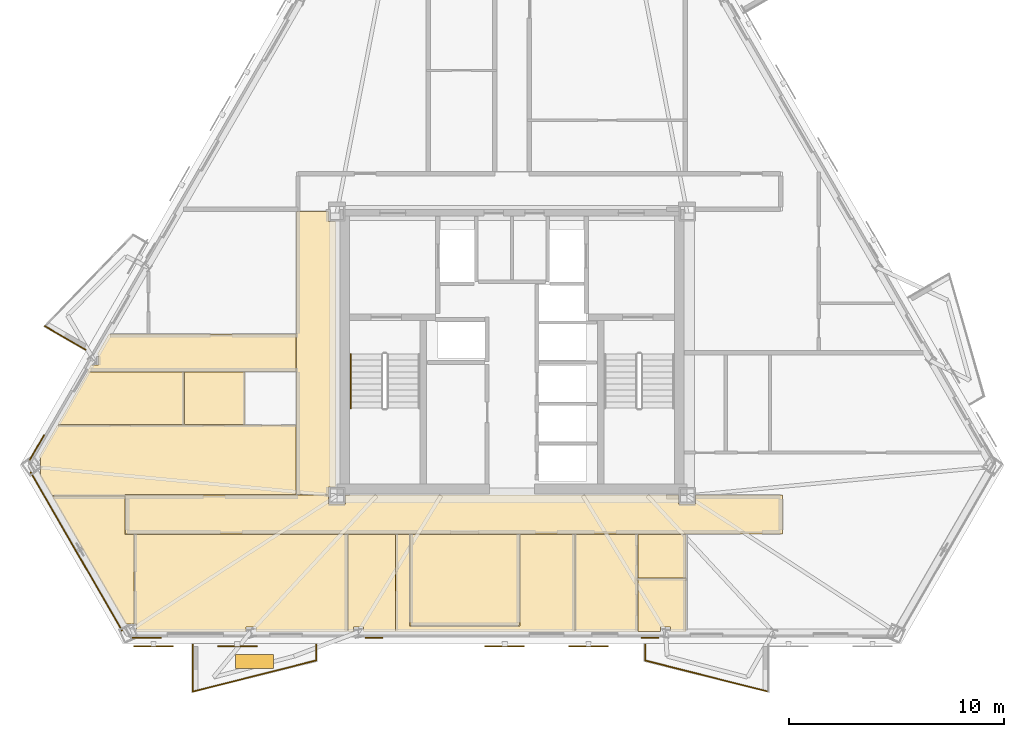
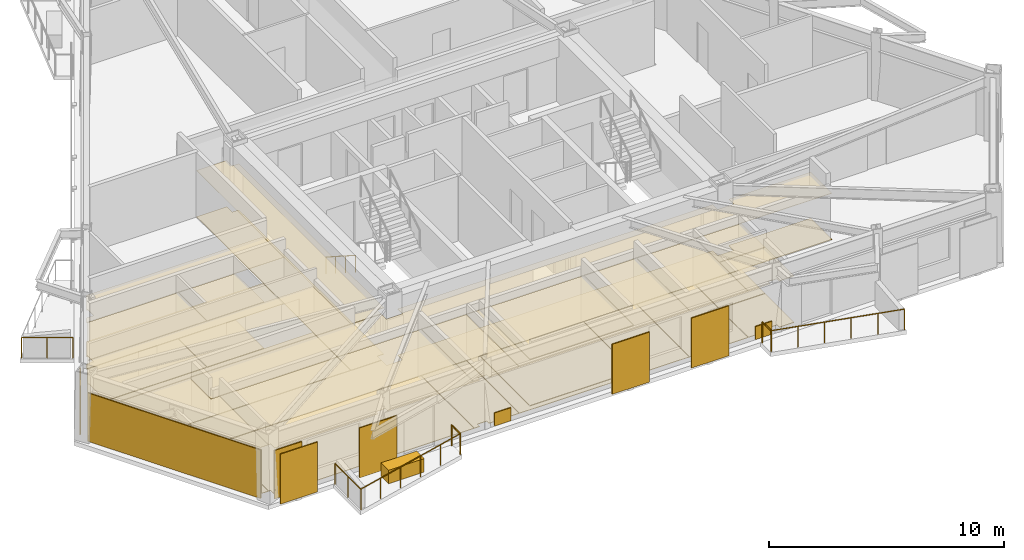
# One storey, part 7 of 9: 34 coverings, 7 railings, 4 shading devices.
"""IFC4 building model written with IfcOpenShell, lengths in metres."""

from ifc_helpers import new_model, si_unit, direction, frame, origin, origin_2d, place, context, subcontext, project, spatial, polyline, rectangle, circle, outline, extrude, material, layer, layer_set, type_object, element, save


model = new_model("IFC4")

# Units and contexts
model_context = context("Model", 3, precision=1e-05, world=origin(), true_north=direction((0.0, 1.0)))
body_context = subcontext(model_context, "Body", "Model", "MODEL_VIEW")
ifc_project = project(units=[si_unit("LENGTHUNIT", "METRE"), si_unit("AREAUNIT", "SQUARE_METRE"), si_unit("VOLUMEUNIT", "CUBIC_METRE"), si_unit("PLANEANGLEUNIT", "RADIAN"), si_unit("MASSUNIT", "GRAM", prefix="KILO")], contexts=[model_context])

# Site, building, storey
site_placement = place(None, origin())
site = spatial("IfcSite", under=ifc_project, at=site_placement, CompositionType="ELEMENT")
building_placement = place(site_placement, origin())
building = spatial("IfcBuilding", under=site, at=building_placement, Name="Oramaril Tower", CompositionType="ELEMENT")
storey_placement = place(building_placement, frame((0.0, 0.0, 160.199951171875)))
storey = spatial("IfcBuildingStorey", under=building, at=storey_placement, Name="L42", CompositionType="ELEMENT", Elevation=160.199951171875)

# Coverings
ifc_material_1 = material(Name="Mineral Fibre Acoustic Ceiling")
ifc_layer_1 = layer(ifc_material_1, 0.02001953125)
ifc_layer_set_1 = layer_set([ifc_layer_1], Name="CVT-CEIL")
covering_type_1 = type_object("IfcCoveringType", Name="CVT-CEIL", PredefinedType="CEILING", material=ifc_layer_set_1)
covering_1_placement = place(storey_placement, frame((0.0, 0.0, 2.412109375)))
element("IfcCovering", 1, at=covering_1_placement, inside=storey, type_object=covering_type_1, Name="L42 Acoustic Suspended Ceiling 1", PredefinedType="CEILING", context=body_context, shape_type="SweptSolid", body=[
    extrude(outline(polyline([(28.955078125, 10.60498046875), (29.7451171875, 10.60498046875), (29.7451171875, 11.030029296875), (45.2548828125, 11.030029296875), (45.2548828125, 10.60498046875), (46.044921875, 10.60498046875), (46.044921875, 11.030029296875), (50.080078125, 11.030029296875), (50.080078125, 9.219970703125), (19.52001953125, 9.219970703125), (19.52001953125, 11.030029296875), (28.955078125, 11.030029296875), (28.955078125, 10.60498046875)])), origin(), (0.0, 0.0, 1.0), 0.02001953125),
])
covering_2_placement = place(storey_placement, frame((0.0, 0.0, 2.412109375)))
element("IfcCovering", 2, at=covering_2_placement, inside=storey, type_object=covering_type_1, Name="L42 Acoustic Suspended Ceiling 3", PredefinedType="CEILING", context=body_context, shape_type="SweptSolid", body=[
    extrude(outline(polyline([(28.955078125, 23.7548828125), (29.280029296875, 23.7548828125), (29.280029296875, 11.39501953125), (28.955078125, 11.39501953125), (28.955078125, 11.050048828125), (27.469970703125, 11.050048828125), (27.469970703125, 24.219970703125), (28.955078125, 24.219970703125), (28.955078125, 23.7548828125)])), origin(), (0.0, 0.0, 1.0), 0.02001953125),
])
covering_3_placement = place(storey_placement, frame((0.0, 0.0, 2.412109375)))
element("IfcCovering", 3, at=covering_3_placement, inside=storey, type_object=covering_type_1, Name="L42 Acoustic Suspended Ceiling 5", PredefinedType="CEILING", context=body_context, shape_type="SweptSolid", body=[
    extrude(outline(polyline([(17.744873046875, 16.77001953125), (17.921875, 17.076416015625), (18.2744140625, 17.076416015625), (18.2744140625, 17.572509765625), (18.208251953125, 17.572509765625), (18.760986328125, 18.530029296875), (27.449951171875, 18.530029296875), (27.449951171875, 16.77001953125), (17.744873046875, 16.77001953125)])), origin(), (0.0, 0.0, 1.0), 0.02001953125),
])
covering_4_placement = place(storey_placement, frame((0.0, 0.0, 2.412109375)))
element("IfcCovering", 4, at=covering_4_placement, inside=storey, type_object=covering_type_1, Name="L42 Acoustic Suspended Ceiling 6", PredefinedType="CEILING", context=body_context, shape_type="SweptSolid", body=[
    extrude(outline(polyline([(32.758056640625, 4.9580078125), (32.758056640625, 9.199951171875), (37.842041015625, 9.199951171875), (37.842041015625, 4.9580078125), (32.758056640625, 4.9580078125)])), origin(), (0.0, 0.0, 1.0), 0.02001953125),
])
covering_5_placement = place(storey_placement, frame((0.0, 0.0, 2.412109375)))
element("IfcCovering", 5, at=covering_5_placement, inside=storey, type_object=covering_type_1, Name="L42 Acoustic Suspended Ceiling 7", PredefinedType="CEILING", context=body_context, shape_type="SweptSolid", body=[
    extrude(outline(polyline([(25.5908203125, 4.881591796875), (25.129638671875, 4.881591796875), (25.129638671875, 4.694580078125), (20.03369140625, 4.694580078125), (20.03369140625, 5.031982421875), (19.939453125, 5.031982421875), (19.939453125, 9.199951171875), (29.842041015625, 9.199951171875), (29.842041015625, 4.694580078125), (25.5908203125, 4.694580078125), (25.5908203125, 4.881591796875)])), origin(), (0.0, 0.0, 1.0), 0.02001953125),
])
covering_6_placement = place(storey_placement, frame((0.0, 0.0, 2.412109375)))
element("IfcCovering", 6, at=covering_6_placement, inside=storey, type_object=covering_type_1, Name="L42 Acoustic Suspended Ceiling 8", PredefinedType="CEILING", context=body_context, shape_type="SweptSolid", body=[
    extrude(outline(polyline([(19.53125, 5.031982421875), (16.09033203125, 10.991943359375), (19.5, 10.991943359375), (19.5, 9.219970703125), (19.5, 9.218017578125), (19.50048828125, 9.216064453125), (19.5009765625, 9.214111328125), (19.50146484375, 9.21240234375), (19.50244140625, 9.210693359375), (19.50341796875, 9.208984375), (19.50439453125, 9.207275390625), (19.505859375, 9.205810546875), (19.50732421875, 9.20458984375), (19.5087890625, 9.203369140625), (19.510498046875, 9.202392578125), (19.51220703125, 9.201416015625), (19.51416015625, 9.200927734375), (19.51611328125, 9.200439453125), (19.51806640625, 9.2001953125), (19.52001953125, 9.199951171875), (19.91943359375, 9.199951171875), (19.91943359375, 5.031982421875), (19.53125, 5.031982421875)])), origin(), (0.0, 0.0, 1.0), 0.02001953125),
])
covering_7_placement = place(storey_placement, frame((0.0, 0.0, 2.412109375)))
element("IfcCovering", 7, at=covering_7_placement, inside=storey, type_object=covering_type_1, Name="L42 Acoustic Suspended Ceiling 9", PredefinedType="CEILING", context=body_context, shape_type="SweptSolid", body=[
    extrude(outline(polyline([(40.44189453125, 4.694580078125), (32.090087890625, 4.694580078125), (32.090087890625, 9.199951171875), (32.738037109375, 9.199951171875), (32.738037109375, 4.9580078125), (32.738037109375, 4.9560546875), (32.73828125, 4.9541015625), (32.739013671875, 4.9521484375), (32.739501953125, 4.9501953125), (32.740478515625, 4.948486328125), (32.741455078125, 4.947021484375), (32.742431640625, 4.9453125), (32.743896484375, 4.94384765625), (32.745361328125, 4.9423828125), (32.746826171875, 4.94140625), (32.74853515625, 4.9404296875), (32.750244140625, 4.939453125), (32.752197265625, 4.93896484375), (32.754150390625, 4.9384765625), (32.756103515625, 4.93798828125), (32.758056640625, 4.93798828125), (37.842041015625, 4.93798828125), (37.843994140625, 4.93798828125), (37.845947265625, 4.9384765625), (37.847900390625, 4.93896484375), (37.849609375, 4.939453125), (37.851318359375, 4.9404296875), (37.85302734375, 4.94140625), (37.854736328125, 4.9423828125), (37.856201171875, 4.94384765625), (37.857421875, 4.9453125), (37.858642578125, 4.947021484375), (37.859619140625, 4.948486328125), (37.860595703125, 4.9501953125), (37.861083984375, 4.9521484375), (37.861572265625, 4.9541015625), (37.86181640625, 4.9560546875), (37.862060546875, 4.9580078125), (37.862060546875, 9.199951171875), (40.44189453125, 9.199951171875), (40.44189453125, 4.694580078125)])), origin(), (0.0, 0.0, 1.0), 0.02001953125),
])
covering_8_placement = place(storey_placement, frame((0.0, 0.0, 2.412109375)))
element("IfcCovering", 8, at=covering_8_placement, inside=storey, type_object=covering_type_1, Name="L42 Acoustic Suspended Ceiling 10", PredefinedType="CEILING", context=body_context, shape_type="SweptSolid", body=[
    extrude(outline(polyline([(30.5849609375, 4.694580078125), (30.5849609375, 4.881591796875), (30.1328125, 4.881591796875), (30.1328125, 4.694580078125), (29.862060546875, 4.694580078125), (29.862060546875, 9.199951171875), (32.070068359375, 9.199951171875), (32.070068359375, 4.694580078125), (30.5849609375, 4.694580078125)])), origin(), (0.0, 0.0, 1.0), 0.02001953125),
])
covering_9_placement = place(storey_placement, frame((0.0, 0.0, 2.412109375)))
element("IfcCovering", 9, at=covering_9_placement, inside=storey, type_object=covering_type_1, Name="L42 Acoustic Suspended Ceiling 11", PredefinedType="CEILING", context=body_context, shape_type="SweptSolid", body=[
    extrude(outline(polyline([(43.33154296875, 4.694580078125), (40.4619140625, 4.694580078125), (40.4619140625, 9.199951171875), (43.33154296875, 9.199951171875), (43.33154296875, 4.694580078125)])), origin(), (0.0, 0.0, 1.0), 0.02001953125),
])
covering_10_placement = place(storey_placement, frame((0.0, 0.0, 2.412109375)))
element("IfcCovering", 10, at=covering_10_placement, inside=storey, type_object=covering_type_1, Name="L42 Acoustic Suspended Ceiling 12", PredefinedType="CEILING", context=body_context, shape_type="SweptSolid", body=[
    extrude(outline(polyline([(44.8671875, 4.881591796875), (44.4150390625, 4.881591796875), (44.4150390625, 4.694580078125), (43.3515625, 4.694580078125), (43.3515625, 7.15283203125), (45.60205078125, 7.15283203125), (45.60205078125, 4.694580078125), (44.8671875, 4.694580078125), (44.8671875, 4.881591796875)])), origin(), (0.0, 0.0, 1.0), 0.02001953125),
])
covering_11_placement = place(storey_placement, frame((0.0, 0.0, 2.412109375)))
element("IfcCovering", 11, at=covering_11_placement, inside=storey, type_object=covering_type_1, Name="L42 Acoustic Suspended Ceiling 13", PredefinedType="CEILING", context=body_context, shape_type="SweptSolid", body=[
    extrude(outline(polyline([(45.60205078125, 7.1728515625), (43.3515625, 7.1728515625), (43.3515625, 9.199951171875), (45.60205078125, 9.199951171875), (45.60205078125, 7.1728515625)])), origin(), (0.0, 0.0, 1.0), 0.02001953125),
])
covering_12_placement = place(storey_placement, frame((0.0, 0.0, 2.412109375)))
element("IfcCovering", 12, at=covering_12_placement, inside=storey, type_object=covering_type_1, Name="L42 Acoustic Suspended Ceiling 14", PredefinedType="CEILING", context=body_context, shape_type="SweptSolid", body=[
    extrude(outline(polyline([(15.5234375, 11.97412109375), (15.56591796875, 11.97412109375), (15.56591796875, 12.780029296875), (15.485107421875, 12.780029296875), (16.360595703125, 14.2958984375), (27.449951171875, 14.2958984375), (27.449951171875, 11.050048828125), (19.52001953125, 11.050048828125), (19.51806640625, 11.0498046875), (19.51611328125, 11.049560546875), (19.51416015625, 11.049072265625), (19.51220703125, 11.048583984375), (19.510498046875, 11.047607421875), (19.5087890625, 11.046630859375), (19.50732421875, 11.04541015625), (19.505859375, 11.044189453125), (19.50439453125, 11.042724609375), (19.50341796875, 11.041015625), (19.50244140625, 11.039306640625), (19.50146484375, 11.03759765625), (19.5009765625, 11.035888671875), (19.50048828125, 11.033935546875), (19.5, 11.031982421875), (19.5, 11.030029296875), (19.5, 11.011962890625), (16.09033203125, 11.011962890625), (16.08837890625, 11.011962890625), (16.08642578125, 11.01171875), (16.08447265625, 11.010986328125), (16.08251953125, 11.010498046875), (16.080810546875, 11.009521484375), (16.080322265625, 11.00927734375), (15.5234375, 11.97412109375)])), origin(), (0.0, 0.0, 1.0), 0.02001953125),
])
covering_13_placement = place(storey_placement, frame((0.0, 0.0, 2.412109375)))
element("IfcCovering", 13, at=covering_13_placement, inside=storey, type_object=covering_type_1, Name="L42 Acoustic Suspended Ceiling 15", PredefinedType="CEILING", context=body_context, shape_type="SweptSolid", body=[
    extrude(outline(polyline([(17.77734375, 16.75), (22.2490234375, 16.75), (22.2490234375, 14.31591796875), (16.3720703125, 14.31591796875), (17.77734375, 16.75)])), origin(), (0.0, 0.0, 1.0), 0.02001953125),
])
covering_14_placement = place(storey_placement, frame((0.0, 0.0, 2.412109375)))
element("IfcCovering", 14, at=covering_14_placement, inside=storey, type_object=covering_type_1, Name="L42 Acoustic Suspended Ceiling 16", PredefinedType="CEILING", context=body_context, shape_type="SweptSolid", body=[
    extrude(outline(polyline([(25.072021484375, 14.31591796875), (22.26904296875, 14.31591796875), (22.26904296875, 16.75), (25.072021484375, 16.75), (25.072021484375, 14.31591796875)])), origin(), (0.0, 0.0, 1.0), 0.02001953125),
])
ifc_material_2 = material(Name="Warm Cream Limestone", Category="masonry")
ifc_layer_2 = layer(ifc_material_2, 0.050048828125)
ifc_layer_set_2 = layer_set([ifc_layer_2], Name="CVT-CLD")
covering_type_2 = type_object("IfcCoveringType", Name="CVT-CLD", PredefinedType="CLADDING", material=ifc_layer_set_2)
covering_15_placement = place(storey_placement, frame((17.23828125, 8.40185546875, 0.0400390625), z_axis=(0.0, 0.0, 1.0), x_axis=(0.500001511499, -0.866024531118, 0.0)))
element("IfcCovering", 15, at=covering_15_placement, inside=storey, type_object=covering_type_2, Name="L42 Warm Cream Limestone Cladding", PredefinedType="CLADDING", context=body_context, shape_type="SweptSolid", body=[
    extrude(rectangle(XDim=8.53369140625, YDim=0.050048828125, at=origin_2d()), origin(), (0.0, 0.0, 1.0), 2.52001953125),
])
covering_16_placement = place(storey_placement, frame((20.513671875, 4.393798828125, 0.0400390625), z_axis=(0.0, 0.0, 1.0), x_axis=(1.0, 0.0, 0.0)))
element("IfcCovering", 16, at=covering_16_placement, inside=storey, type_object=covering_type_2, Name="L42 Warm Cream Limestone Cladding", PredefinedType="CLADDING", context=body_context, shape_type="SweptSolid", body=[
    extrude(rectangle(XDim=1.35009765625, YDim=0.050048828125, at=origin_2d()), origin(), (0.0, 0.0, 1.0), 2.52001953125),
])
for number, where, z_axis, x_axis, name in (
    (17, (31.078857421875, 4.393798828125, 0.0400390625), (0.0, 0.0, 1.0), (1.0, 0.0, 0.0), "L42 Warm Cream Limestone Spandrel Cladding"),
    (18, (43.921142578125, 4.393798828125, 0.0400390625), (0.0, 0.0, 1.0), (1.0, 0.0, 0.0), "L42 Warm Cream Limestone Spandrel Cladding"),
):
    element("IfcCovering", number, at=place(storey_placement, frame(where, z_axis=z_axis, x_axis=x_axis)), inside=storey, type_object=covering_type_2, Name=name, PredefinedType="CLADDING", context=body_context, shape_type="SweptSolid", body=[
        extrude(rectangle(XDim=0.800048828125, YDim=0.050048828125, at=origin_2d()), origin(), (0.0, 0.0, 1.0), 0.679931640625),
    ])
covering_17_placement = place(storey_placement, frame((15.40478515625, 13.24267578125, 0.0400390625), z_axis=(0.0, 0.0, 1.0), x_axis=(-0.5, -0.866025403784, 0.0)))
element("IfcCovering", 19, at=covering_17_placement, inside=storey, type_object=covering_type_2, Name="L42 Warm Cream Limestone Cladding", PredefinedType="CLADDING", context=body_context, shape_type="SweptSolid", body=[
    extrude(rectangle(XDim=1.35009765625, YDim=0.050048828125, at=origin_2d()), origin(), (0.0, 0.0, 1.0), 2.52001953125),
])
covering_18_placement = place(storey_placement, frame((25.523193359375, 3.290283203125, 0.0), z_axis=(0.0, 0.0, 1.0), x_axis=(1.0, 0.0, 0.0)))
element("IfcCovering", 20, at=covering_18_placement, inside=storey, type_object=covering_type_2, Name="L42 Structural Tree Planter Box L42-BAL-S1", PredefinedType="CLADDING", context=body_context, shape_type="SweptSolid", body=[
    extrude(rectangle(XDim=1.75, YDim=0.64990234375, at=origin_2d()), origin(), (0.0, 0.0, 1.0), 0.699951171875),
])
ifc_material_3 = material(Name="Honed Quartzite Stone Flooring", Category="masonry")
ifc_layer_3 = layer(ifc_material_3, 0.02490234375)
ifc_layer_set_3 = layer_set([ifc_layer_3], Name="CVT-FLR")
covering_type_3 = type_object("IfcCoveringType", Name="CVT-FLR", PredefinedType="FLOORING", material=ifc_layer_set_3)
covering_19_placement = place(storey_placement, origin())
element("IfcCovering", 21, at=covering_19_placement, inside=storey, type_object=covering_type_3, Name="L42 Honed Stone Floor Finish 1", PredefinedType="FLOORING", context=body_context, shape_type="SweptSolid", body=[
    extrude(outline(polyline([(28.955078125, 10.60498046875), (29.7451171875, 10.60498046875), (29.7451171875, 11.030029296875), (45.2548828125, 11.030029296875), (45.2548828125, 10.60498046875), (46.044921875, 10.60498046875), (46.044921875, 11.030029296875), (50.080078125, 11.030029296875), (50.080078125, 9.219970703125), (19.52001953125, 9.219970703125), (19.52001953125, 11.030029296875), (28.955078125, 11.030029296875), (28.955078125, 10.60498046875)])), origin(), (0.0, 0.0, 1.0), 0.025146484375),
])
covering_20_placement = place(storey_placement, origin())
element("IfcCovering", 22, at=covering_20_placement, inside=storey, type_object=covering_type_3, Name="L42 Honed Stone Floor Finish 3", PredefinedType="FLOORING", context=body_context, shape_type="SweptSolid", body=[
    extrude(outline(polyline([(28.955078125, 23.7548828125), (29.280029296875, 23.7548828125), (29.280029296875, 11.39501953125), (28.955078125, 11.39501953125), (28.955078125, 11.050048828125), (27.469970703125, 11.050048828125), (27.469970703125, 24.219970703125), (28.955078125, 24.219970703125), (28.955078125, 23.7548828125)])), origin(), (0.0, 0.0, 1.0), 0.025146484375),
])
covering_21_placement = place(storey_placement, origin())
element("IfcCovering", 23, at=covering_21_placement, inside=storey, type_object=covering_type_3, Name="L42 Honed Stone Floor Finish 5", PredefinedType="FLOORING", context=body_context, shape_type="SweptSolid", body=[
    extrude(outline(polyline([(17.744873046875, 16.77001953125), (17.921875, 17.076416015625), (18.2744140625, 17.076416015625), (18.2744140625, 17.572509765625), (18.208251953125, 17.572509765625), (18.760986328125, 18.530029296875), (27.449951171875, 18.530029296875), (27.449951171875, 16.77001953125), (17.744873046875, 16.77001953125)])), origin(), (0.0, 0.0, 1.0), 0.025146484375),
])
covering_22_placement = place(storey_placement, origin())
element("IfcCovering", 24, at=covering_22_placement, inside=storey, type_object=covering_type_3, Name="L42 Honed Stone Floor Finish 6", PredefinedType="FLOORING", context=body_context, shape_type="SweptSolid", body=[
    extrude(outline(polyline([(32.758056640625, 4.9580078125), (32.758056640625, 9.199951171875), (37.842041015625, 9.199951171875), (37.842041015625, 4.9580078125), (32.758056640625, 4.9580078125)])), origin(), (0.0, 0.0, 1.0), 0.025146484375),
])
covering_23_placement = place(storey_placement, origin())
element("IfcCovering", 25, at=covering_23_placement, inside=storey, type_object=covering_type_3, Name="L42 Honed Stone Floor Finish 7", PredefinedType="FLOORING", context=body_context, shape_type="SweptSolid", body=[
    extrude(outline(polyline([(25.5908203125, 4.881591796875), (25.129638671875, 4.881591796875), (25.129638671875, 4.694580078125), (20.03369140625, 4.694580078125), (20.03369140625, 5.031982421875), (19.939453125, 5.031982421875), (19.939453125, 9.199951171875), (29.842041015625, 9.199951171875), (29.842041015625, 4.694580078125), (25.5908203125, 4.694580078125), (25.5908203125, 4.881591796875)])), origin(), (0.0, 0.0, 1.0), 0.025146484375),
])
covering_24_placement = place(storey_placement, origin())
element("IfcCovering", 26, at=covering_24_placement, inside=storey, type_object=covering_type_3, Name="L42 Honed Stone Floor Finish 8", PredefinedType="FLOORING", context=body_context, shape_type="SweptSolid", body=[
    extrude(outline(polyline([(19.53125, 5.031982421875), (16.09033203125, 10.991943359375), (19.5, 10.991943359375), (19.5, 9.219970703125), (19.5, 9.218017578125), (19.50048828125, 9.216064453125), (19.5009765625, 9.214111328125), (19.50146484375, 9.21240234375), (19.50244140625, 9.210693359375), (19.50341796875, 9.208984375), (19.50439453125, 9.207275390625), (19.505859375, 9.205810546875), (19.50732421875, 9.20458984375), (19.5087890625, 9.203369140625), (19.510498046875, 9.202392578125), (19.51220703125, 9.201416015625), (19.51416015625, 9.200927734375), (19.51611328125, 9.200439453125), (19.51806640625, 9.2001953125), (19.52001953125, 9.199951171875), (19.91943359375, 9.199951171875), (19.91943359375, 5.031982421875), (19.53125, 5.031982421875)])), origin(), (0.0, 0.0, 1.0), 0.025146484375),
])
covering_25_placement = place(storey_placement, origin())
element("IfcCovering", 27, at=covering_25_placement, inside=storey, type_object=covering_type_3, Name="L42 Honed Stone Floor Finish 9", PredefinedType="FLOORING", context=body_context, shape_type="SweptSolid", body=[
    extrude(outline(polyline([(40.44189453125, 4.694580078125), (32.090087890625, 4.694580078125), (32.090087890625, 9.199951171875), (32.738037109375, 9.199951171875), (32.738037109375, 4.9580078125), (32.738037109375, 4.9560546875), (32.73828125, 4.9541015625), (32.739013671875, 4.9521484375), (32.739501953125, 4.9501953125), (32.740478515625, 4.948486328125), (32.741455078125, 4.947021484375), (32.742431640625, 4.9453125), (32.743896484375, 4.94384765625), (32.745361328125, 4.9423828125), (32.746826171875, 4.94140625), (32.74853515625, 4.9404296875), (32.750244140625, 4.939453125), (32.752197265625, 4.93896484375), (32.754150390625, 4.9384765625), (32.756103515625, 4.93798828125), (32.758056640625, 4.93798828125), (37.842041015625, 4.93798828125), (37.843994140625, 4.93798828125), (37.845947265625, 4.9384765625), (37.847900390625, 4.93896484375), (37.849609375, 4.939453125), (37.851318359375, 4.9404296875), (37.85302734375, 4.94140625), (37.854736328125, 4.9423828125), (37.856201171875, 4.94384765625), (37.857421875, 4.9453125), (37.858642578125, 4.947021484375), (37.859619140625, 4.948486328125), (37.860595703125, 4.9501953125), (37.861083984375, 4.9521484375), (37.861572265625, 4.9541015625), (37.86181640625, 4.9560546875), (37.862060546875, 4.9580078125), (37.862060546875, 9.199951171875), (40.44189453125, 9.199951171875), (40.44189453125, 4.694580078125)])), origin(), (0.0, 0.0, 1.0), 0.025146484375),
])
covering_26_placement = place(storey_placement, origin())
element("IfcCovering", 28, at=covering_26_placement, inside=storey, type_object=covering_type_3, Name="L42 Honed Stone Floor Finish 10", PredefinedType="FLOORING", context=body_context, shape_type="SweptSolid", body=[
    extrude(outline(polyline([(30.5849609375, 4.694580078125), (30.5849609375, 4.881591796875), (30.1328125, 4.881591796875), (30.1328125, 4.694580078125), (29.862060546875, 4.694580078125), (29.862060546875, 9.199951171875), (32.070068359375, 9.199951171875), (32.070068359375, 4.694580078125), (30.5849609375, 4.694580078125)])), origin(), (0.0, 0.0, 1.0), 0.025146484375),
])
covering_27_placement = place(storey_placement, origin())
element("IfcCovering", 29, at=covering_27_placement, inside=storey, type_object=covering_type_3, Name="L42 Honed Stone Floor Finish 11", PredefinedType="FLOORING", context=body_context, shape_type="SweptSolid", body=[
    extrude(outline(polyline([(43.33154296875, 4.694580078125), (40.4619140625, 4.694580078125), (40.4619140625, 9.199951171875), (43.33154296875, 9.199951171875), (43.33154296875, 4.694580078125)])), origin(), (0.0, 0.0, 1.0), 0.025146484375),
])
covering_28_placement = place(storey_placement, origin())
element("IfcCovering", 30, at=covering_28_placement, inside=storey, type_object=covering_type_3, Name="L42 Honed Stone Floor Finish 12", PredefinedType="FLOORING", context=body_context, shape_type="SweptSolid", body=[
    extrude(outline(polyline([(44.8671875, 4.881591796875), (44.4150390625, 4.881591796875), (44.4150390625, 4.694580078125), (43.3515625, 4.694580078125), (43.3515625, 7.15283203125), (45.60205078125, 7.15283203125), (45.60205078125, 4.694580078125), (44.8671875, 4.694580078125), (44.8671875, 4.881591796875)])), origin(), (0.0, 0.0, 1.0), 0.025146484375),
])
covering_29_placement = place(storey_placement, origin())
element("IfcCovering", 31, at=covering_29_placement, inside=storey, type_object=covering_type_3, Name="L42 Honed Stone Floor Finish 13", PredefinedType="FLOORING", context=body_context, shape_type="SweptSolid", body=[
    extrude(outline(polyline([(45.60205078125, 7.1728515625), (43.3515625, 7.1728515625), (43.3515625, 9.199951171875), (45.60205078125, 9.199951171875), (45.60205078125, 7.1728515625)])), origin(), (0.0, 0.0, 1.0), 0.025146484375),
])
covering_30_placement = place(storey_placement, origin())
element("IfcCovering", 32, at=covering_30_placement, inside=storey, type_object=covering_type_3, Name="L42 Honed Stone Floor Finish 14", PredefinedType="FLOORING", context=body_context, shape_type="SweptSolid", body=[
    extrude(outline(polyline([(15.5234375, 11.97412109375), (15.56591796875, 11.97412109375), (15.56591796875, 12.780029296875), (15.485107421875, 12.780029296875), (16.360595703125, 14.2958984375), (27.449951171875, 14.2958984375), (27.449951171875, 11.050048828125), (19.52001953125, 11.050048828125), (19.51806640625, 11.0498046875), (19.51611328125, 11.049560546875), (19.51416015625, 11.049072265625), (19.51220703125, 11.048583984375), (19.510498046875, 11.047607421875), (19.5087890625, 11.046630859375), (19.50732421875, 11.04541015625), (19.505859375, 11.044189453125), (19.50439453125, 11.042724609375), (19.50341796875, 11.041015625), (19.50244140625, 11.039306640625), (19.50146484375, 11.03759765625), (19.5009765625, 11.035888671875), (19.50048828125, 11.033935546875), (19.5, 11.031982421875), (19.5, 11.030029296875), (19.5, 11.011962890625), (16.09033203125, 11.011962890625), (16.08837890625, 11.011962890625), (16.08642578125, 11.01171875), (16.08447265625, 11.010986328125), (16.08251953125, 11.010498046875), (16.080810546875, 11.009521484375), (16.080322265625, 11.00927734375), (15.5234375, 11.97412109375)])), origin(), (0.0, 0.0, 1.0), 0.025146484375),
])
covering_31_placement = place(storey_placement, origin())
element("IfcCovering", 33, at=covering_31_placement, inside=storey, type_object=covering_type_3, Name="L42 Honed Stone Floor Finish 15", PredefinedType="FLOORING", context=body_context, shape_type="SweptSolid", body=[
    extrude(outline(polyline([(17.77734375, 16.75), (22.2490234375, 16.75), (22.2490234375, 14.31591796875), (16.3720703125, 14.31591796875), (17.77734375, 16.75)])), origin(), (0.0, 0.0, 1.0), 0.025146484375),
])
covering_32_placement = place(storey_placement, origin())
element("IfcCovering", 34, at=covering_32_placement, inside=storey, type_object=covering_type_3, Name="L42 Honed Stone Floor Finish 16", PredefinedType="FLOORING", context=body_context, shape_type="SweptSolid", body=[
    extrude(outline(polyline([(25.072021484375, 14.31591796875), (22.26904296875, 14.31591796875), (22.26904296875, 16.75), (25.072021484375, 16.75), (25.072021484375, 14.31591796875)])), origin(), (0.0, 0.0, 1.0), 0.025146484375),
])

# Railings
ifc_material_4 = material(Name="Stainless Steel 316L", Category="steel")
railing_type_1 = type_object("IfcRailingType", Name="RLT-GRD", PredefinedType="GUARDRAIL", material=ifc_material_4)
railing_1_placement = place(storey_placement, frame((28.38818359375, 4.07861328125, 0.0)))
element("IfcRailing", 35, at=railing_1_placement, inside=storey, type_object=railing_type_1, Name="L42 Balcony Guardrail L42-BAL-S1.1", PredefinedType="GUARDRAIL", context=body_context, shape_type="SweptSolid", body=[
    extrude(circle(Radius=0.02392578125, at=origin_2d()), frame((0.0, 0.0, 1.076171875), z_axis=(0.0, -1.0, 0.0), x_axis=(1.0, 0.0, 0.0)), (0.0, 0.0, 1.0), 0.741943359375),
    extrude(circle(Radius=0.02099609375, at=origin_2d()), origin(), (0.0, 0.0, 1.0), 1.052001953125),
    extrude(circle(Radius=0.02099609375, at=origin_2d()), frame((0.0, -0.741943359375, 0.0)), (0.0, 0.0, 1.0), 1.052001953125),
])
railing_2_placement = place(storey_placement, frame((28.38818359375, 3.336669921875, 0.0)))
element("IfcRailing", 36, at=railing_2_placement, inside=storey, type_object=railing_type_1, Name="L42 Balcony Guardrail L42-BAL-S1.2", PredefinedType="GUARDRAIL", context=body_context, shape_type="SweptSolid", body=[
    extrude(circle(Radius=0.02392578125, at=origin_2d()), frame((0.0, 0.0, 1.076171875), z_axis=(-0.969443611257, -0.245314256807, 0.0), x_axis=(0.245314256807, -0.969443611257, 0.0)), (0.0, 0.0, 1.0), 5.91064453125),
    extrude(circle(Radius=0.02099609375, at=origin_2d()), origin(), (0.0, 0.0, 1.0), 1.052001953125),
    extrude(circle(Radius=0.02099609375, at=origin_2d()), frame((-1.14599609375, -0.2900390625, 0.0)), (0.0, 0.0, 1.0), 1.052001953125),
    extrude(circle(Radius=0.02099609375, at=origin_2d()), frame((-2.2919921875, -0.580078125, 0.0)), (0.0, 0.0, 1.0), 1.052001953125),
    extrude(circle(Radius=0.02099609375, at=origin_2d()), frame((-3.43798828125, -0.869873046875, 0.0)), (0.0, 0.0, 1.0), 1.052001953125),
    extrude(circle(Radius=0.02099609375, at=origin_2d()), frame((-4.583984375, -1.159912109375, 0.0)), (0.0, 0.0, 1.0), 1.052001953125),
    extrude(circle(Radius=0.02099609375, at=origin_2d()), frame((-5.72998046875, -1.449951171875, 0.0)), (0.0, 0.0, 1.0), 1.052001953125),
])
railing_3_placement = place(storey_placement, frame((22.658203125, 1.88671875, 0.0)))
element("IfcRailing", 37, at=railing_3_placement, inside=storey, type_object=railing_type_1, Name="L42 Balcony Guardrail L42-BAL-S1.3", PredefinedType="GUARDRAIL", context=body_context, shape_type="SweptSolid", body=[
    extrude(circle(Radius=0.02392578125, at=origin_2d()), frame((0.0, 0.0, 1.076171875), z_axis=(0.0, 1.0, 0.0), x_axis=(-1.0, 0.0, 0.0)), (0.0, 0.0, 1.0), 2.19189453125),
    extrude(circle(Radius=0.02099609375, at=origin_2d()), origin(), (0.0, 0.0, 1.0), 1.052001953125),
    extrude(circle(Radius=0.02099609375, at=origin_2d()), frame((0.0, 1.095947265625, 0.0)), (0.0, 0.0, 1.0), 1.052001953125),
    extrude(circle(Radius=0.02099609375, at=origin_2d()), frame((0.0, 2.19189453125, 0.0)), (0.0, 0.0, 1.0), 1.052001953125),
])
railing_4_placement = place(storey_placement, frame((49.4169921875, 1.88671875, 0.0)))
element("IfcRailing", 38, at=railing_4_placement, inside=storey, type_object=railing_type_1, Name="L42 Balcony Guardrail L42-BAL-S2.2", PredefinedType="GUARDRAIL", context=body_context, shape_type="SweptSolid", body=[
    extrude(circle(Radius=0.02392578125, at=origin_2d()), frame((0.0, 0.0, 1.076171875), z_axis=(-0.969443611257, 0.245314256807, 0.0), x_axis=(-0.245314256807, -0.969443611257, 0.0)), (0.0, 0.0, 1.0), 5.91064453125),
    extrude(circle(Radius=0.02099609375, at=origin_2d()), origin(), (0.0, 0.0, 1.0), 1.052001953125),
    extrude(circle(Radius=0.02099609375, at=origin_2d()), frame((-1.14599609375, 0.2900390625, 0.0)), (0.0, 0.0, 1.0), 1.052001953125),
    extrude(circle(Radius=0.02099609375, at=origin_2d()), frame((-2.2919921875, 0.580078125, 0.0)), (0.0, 0.0, 1.0), 1.052001953125),
    extrude(circle(Radius=0.02099609375, at=origin_2d()), frame((-3.43798828125, 0.869873046875, 0.0)), (0.0, 0.0, 1.0), 1.052001953125),
    extrude(circle(Radius=0.02099609375, at=origin_2d()), frame((-4.583984375, 1.159912109375, 0.0)), (0.0, 0.0, 1.0), 1.052001953125),
    extrude(circle(Radius=0.02099609375, at=origin_2d()), frame((-5.72998046875, 1.449951171875, 0.0)), (0.0, 0.0, 1.0), 1.052001953125),
])
railing_5_placement = place(storey_placement, frame((43.68701171875, 3.336669921875, 0.0)))
element("IfcRailing", 39, at=railing_5_placement, inside=storey, type_object=railing_type_1, Name="L42 Balcony Guardrail L42-BAL-S2.3", PredefinedType="GUARDRAIL", context=body_context, shape_type="SweptSolid", body=[
    extrude(circle(Radius=0.02392578125, at=origin_2d()), frame((0.0, 0.0, 1.076171875), z_axis=(0.0, 1.0, 0.0), x_axis=(-1.0, 0.0, 0.0)), (0.0, 0.0, 1.0), 0.741943359375),
    extrude(circle(Radius=0.02099609375, at=origin_2d()), origin(), (0.0, 0.0, 1.0), 1.052001953125),
    extrude(circle(Radius=0.02099609375, at=origin_2d()), frame((0.0, 0.741943359375, 0.0)), (0.0, 0.0, 1.0), 1.052001953125),
])
railing_6_placement = place(storey_placement, frame((17.66650390625, 17.790283203125, 0.0)))
element("IfcRailing", 40, at=railing_6_placement, inside=storey, type_object=railing_type_1, Name="L42 Balcony Guardrail L42-BAL-NW2.1", PredefinedType="GUARDRAIL", context=body_context, shape_type="SweptSolid", body=[
    extrude(circle(Radius=0.02392578125, at=origin_2d()), frame((0.0, 0.0, 1.076171875), z_axis=(-0.865972267571, 0.50009202333, 0.0), x_axis=(-0.50009202333, -0.865972267571, 0.0)), (0.0, 0.0, 1.0), 2.19189453125),
    extrude(circle(Radius=0.02099609375, at=origin_2d()), origin(), (0.0, 0.0, 1.0), 1.052001953125),
    extrude(circle(Radius=0.02099609375, at=origin_2d()), frame((-0.94921875, 0.548095703125, 0.0)), (0.0, 0.0, 1.0), 1.052001953125),
    extrude(circle(Radius=0.02099609375, at=origin_2d()), frame((-1.898193359375, 1.09619140625, 0.0)), (0.0, 0.0, 1.0), 1.052001953125),
])
ifc_material_5 = material(Name="Stainless Steel 316L", Category="steel")
railing_type_2 = type_object("IfcRailingType", Name="RLT-HND", PredefinedType="HANDRAIL", material=ifc_material_5)
railing_7_placement = place(storey_placement, frame((30.0, 17.590087890625, 0.179931640625)))
element("IfcRailing", 41, at=railing_7_placement, inside=storey, type_object=railing_type_2, Name="L42 ST-1 stair handrail 1", PredefinedType="HANDRAIL", context=body_context, shape_type="SweptSolid", body=[
    extrude(circle(Radius=0.02392578125, at=origin_2d()), frame((0.0, 0.0, 0.8759765625), z_axis=(0.0, -0.841162588446, 0.540782303519), x_axis=(1.0, 0.0, 0.0)), (0.0, 0.0, 1.0), 2.995849609375),
    extrude(circle(Radius=0.02099609375, at=origin_2d()), origin(), (0.0, 0.0, 1.0), 0.851806640625),
    extrude(circle(Radius=0.02099609375, at=origin_2d()), frame((0.0, -0.840087890625, 0.5400390625)), (0.0, 0.0, 1.0), 0.851806640625),
    extrude(circle(Radius=0.02099609375, at=origin_2d()), frame((0.0, -1.679931640625, 1.080078125)), (0.0, 0.0, 1.0), 0.851806640625),
    extrude(circle(Radius=0.02099609375, at=origin_2d()), frame((0.0, -2.52001953125, 1.6201171875)), (0.0, 0.0, 1.0), 0.851806640625),
])

# Shading devices
for number, where, z_axis, x_axis, name in (
    (42, (20.8232421875, 4.006591796875, -0.02001953125), (0.0, 0.0, 1.0), (1.0, 0.0, 0.0), "L42 Perforated Ceramic Solar Screen"),
    (43, (24.723388671875, 4.006591796875, -0.02001953125), (0.0, 0.0, 1.0), (1.0, 0.0, 0.0), "L42 Perforated Ceramic Solar Screen"),
    (44, (37.1591796875, 4.006591796875, -0.02001953125), (0.0, 0.0, 1.0), (1.0, 0.0, 0.0), "L42 Perforated Ceramic Solar Screen"),
    (45, (41.05908203125, 4.006591796875, -0.02001953125), (0.0, 0.0, 1.0), (1.0, 0.0, 0.0), "L42 Perforated Ceramic Solar Screen"),
):
    element("IfcShadingDevice", number, at=place(storey_placement, frame(where, z_axis=z_axis, x_axis=x_axis)), inside=storey, Name=name, ObjectType="SCREEN", PredefinedType="USERDEFINED", context=body_context, shape_type="SweptSolid", body=[
        extrude(rectangle(XDim=1.8330078125, YDim=0.050048828125, at=origin_2d()), origin(), (0.0, 0.0, 1.0), 2.60009765625),
    ])

save(model, "model.ifc")
